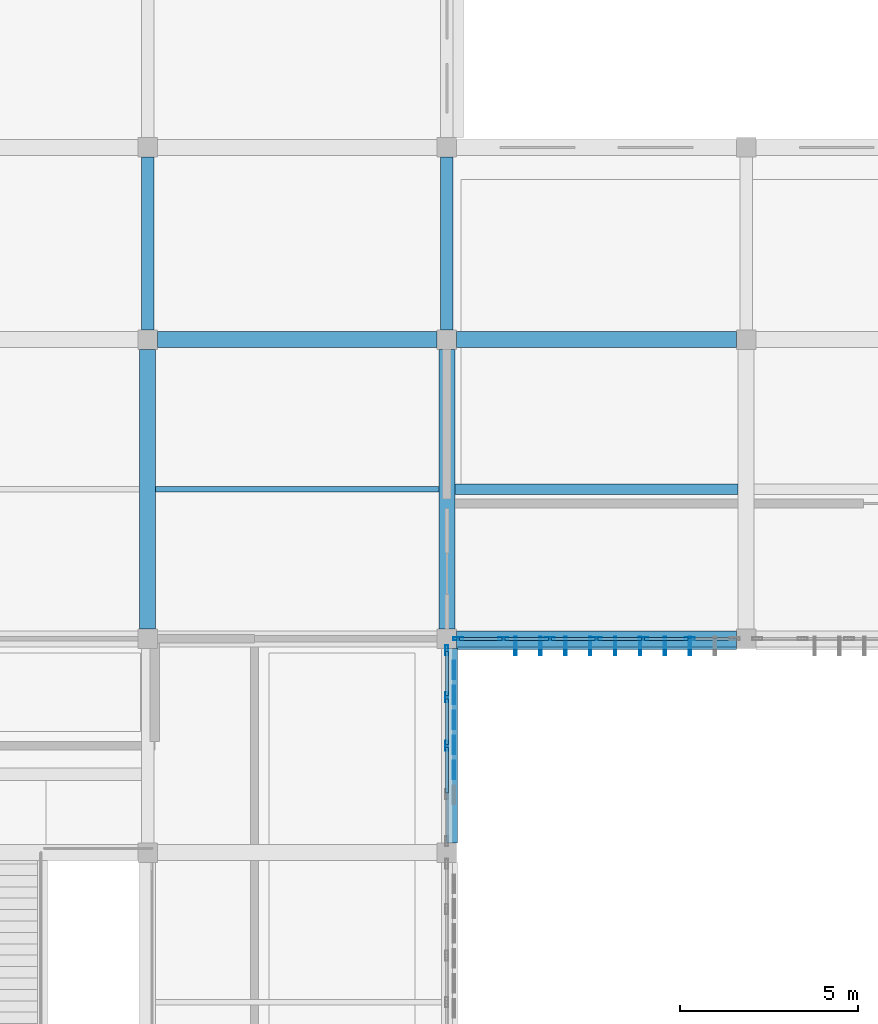
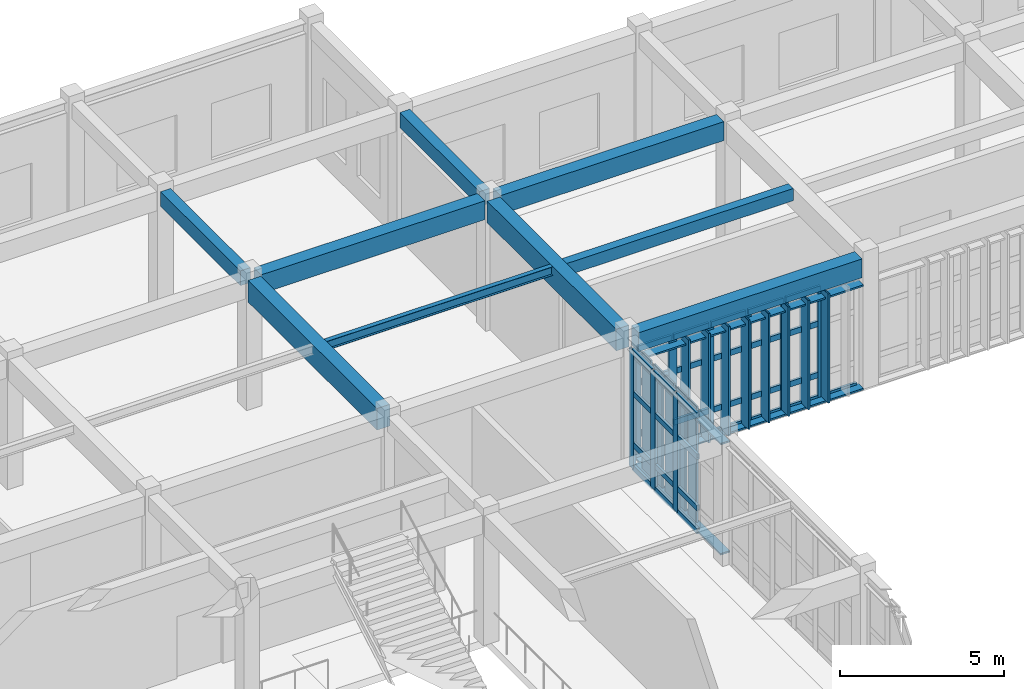
# One storey, part 39 of 106: 59 members, 9 beams, 2 elements without a shape of their own.
"""IFC4 building model written with IfcOpenShell, lengths in metres."""

from ifc_helpers import new_model, si_unit, direction, frame, origin, origin_2d, place, context, subcontext, project, spatial, rectangle, hollow_rectangle, i_section, extrude, material, layer, layer_set, material_profile, profile_set, type_object, element, aggregate, save


model = new_model("IFC4")

# Units and contexts
model_context = context("Model", 3, precision=1e-05, world=origin(), true_north=direction((0.0, 1.0)))
body_context = subcontext(model_context, "Body", "Model", "MODEL_VIEW")
ifc_project = project(units=[si_unit("LENGTHUNIT", "METRE"), si_unit("AREAUNIT", "SQUARE_METRE"), si_unit("VOLUMEUNIT", "CUBIC_METRE"), si_unit("PLANEANGLEUNIT", "RADIAN"), si_unit("MASSUNIT", "GRAM", prefix="KILO")], contexts=[model_context])

# Site, building, storey
site_placement = place(None, origin())
site = spatial("IfcSite", under=ifc_project, at=site_placement, CompositionType="ELEMENT")
building_placement = place(site_placement, origin())
building = spatial("IfcBuilding", under=site, at=building_placement, Name="Krzemoval Escarpment Law Courts", CompositionType="ELEMENT")
storey_placement = place(building_placement, frame((0.0, 0.0, 5.10009765625)))
storey = spatial("IfcBuildingStorey", under=building, at=storey_placement, Name="L01", CompositionType="ELEMENT", Elevation=5.10009765625)

# Beams
ifc_material_1 = material(Name="Concrete C40/50", Category="concrete")
ifc_material_profile_1 = material_profile(ifc_material_1, rectangle(XDim=0.35009765625, YDim=0.550048828125, at=origin_2d()), Name="RCB 350x550")
ifc_profile_set_1 = profile_set([ifc_material_profile_1], Name="Concrete C40/50")
beam_type_1 = type_object("IfcBeamType", Name="BM-RC-350x550", PredefinedType="BEAM", material=ifc_profile_set_1)
for number, where, z_axis, x_axis, name in (
    (1, (33.60009765625, 108.27490234375, 4.544921875), (0.0, 1.0, 0.0), (-1.0, 0.0, 0.0), "Beam FG-L01-1434"),
    (2, (42.0, 108.27490234375, 4.544921875), (0.0, 1.0, 0.0), (-1.0, 0.0, 0.0), "Beam FG-L01-1450"),
):
    element("IfcBeam", number, at=place(storey_placement, frame(where, z_axis=z_axis, x_axis=x_axis)), inside=storey, type_object=beam_type_1, Name=name, PredefinedType="BEAM", context=body_context, shape_type="SweptSolid", body=[
        extrude(rectangle(XDim=0.35009765625, YDim=0.550048828125, at=origin_2d()), origin(), (0.0, 0.0, 1.0), 4.85009765625),
    ])
ifc_material_2 = material(Name="Concrete C40/50", Category="concrete")
ifc_material_profile_2 = material_profile(ifc_material_2, rectangle(XDim=0.449951171875, YDim=0.699951171875, at=origin_2d()), Name="RCB 450x700")
ifc_profile_set_2 = profile_set([ifc_material_profile_2], Name="Concrete C40/50")
beam_type_2 = type_object("IfcBeamType", Name="BM-RC-450x700", PredefinedType="BEAM", material=ifc_profile_set_2)
for number, where, z_axis, x_axis, name in (
    (3, (42.27490234375, 99.60009765625, 4.469970703125), (1.0, 0.0, 0.0), (0.0, 1.0, 0.0), "Beam FG-L01-1304"),
    (4, (33.875, 108.0, 4.469970703125), (1.0, 0.0, 0.0), (0.0, 1.0, 0.0), "Beam FG-L01-1322"),
    (5, (42.27490234375, 108.0, 4.469970703125), (1.0, 0.0, 0.0), (0.0, 1.0, 0.0), "Beam FG-L01-1323"),
):
    element("IfcBeam", number, at=place(storey_placement, frame(where, z_axis=z_axis, x_axis=x_axis)), inside=storey, type_object=beam_type_2, Name=name, PredefinedType="BEAM", context=body_context, shape_type="SweptSolid", body=[
        extrude(rectangle(XDim=0.449951171875, YDim=0.699951171875, at=origin_2d()), origin(), (0.0, 0.0, 1.0), 7.85009765625),
    ])
ifc_material_3 = material(Name="Concrete C40/50", Category="concrete")
ifc_material_profile_3 = material_profile(ifc_material_3, rectangle(XDim=0.449951171875, YDim=0.800048828125, at=origin_2d()), Name="RCB 450x800")
ifc_profile_set_3 = profile_set([ifc_material_profile_3], Name="Concrete C40/50")
beam_type_3 = type_object("IfcBeamType", Name="BM-RC-450x800", PredefinedType="BEAM", material=ifc_profile_set_3)
for number, where, z_axis, x_axis, name in (
    (6, (33.60009765625, 99.875, 4.419921875), (0.0, 1.0, 0.0), (-1.0, 0.0, 0.0), "Beam FG-L01-1433"),
    (7, (42.0, 99.875, 4.419921875), (0.0, 1.0, 0.0), (-1.0, 0.0, 0.0), "Beam FG-L01-1449"),
):
    element("IfcBeam", number, at=place(storey_placement, frame(where, z_axis=z_axis, x_axis=x_axis)), inside=storey, type_object=beam_type_3, Name=name, PredefinedType="BEAM", context=body_context, shape_type="SweptSolid", body=[
        extrude(rectangle(XDim=0.449951171875, YDim=0.800048828125, at=origin_2d()), origin(), (0.0, 0.0, 1.0), 7.85009765625),
    ])

# Curtain wall, members
ifc_material_4 = material(Name="Aluminium 6063-T6", Category="aluminium")
ifc_layer = layer(ifc_material_4, 0.280029296875)
ifc_layer_set = layer_set([ifc_layer], Name="Aluminium 6063-T6")
curtain_wall_type = type_object("IfcCurtainWallType", Name="CW-HALL-5100", PredefinedType="USERDEFINED", material=ifc_layer_set)
curtain_wall_1_placement = place(storey_placement, origin())
curtain_wall_1 = element("IfcCurtainWall", 8, at=curtain_wall_1_placement, inside=storey, type_object=curtain_wall_type, Name="Unitised Curtain Wall FCW-L01-055", ObjectType="UNITISED_CURTAIN_WALL", PredefinedType="USERDEFINED")
ifc_material_5 = material(Name="Aluminium 6063-T6", Category="aluminium")
ifc_material_profile_4 = material_profile(ifc_material_5, hollow_rectangle(XDim=0.0849609375, YDim=0.280029296875, WallThickness=0.005615234375, at=origin_2d()), Name="ALU M85x280")
ifc_profile_set_4 = profile_set([ifc_material_profile_4], Name="Aluminium 6063-T6")
member_type_1 = type_object("IfcMemberType", Name="CWM-85x280", PredefinedType="MULLION", material=ifc_profile_set_4)
member_1_placement = place(storey_placement, frame((48.816650390625, 99.60009765625, 0.0), z_axis=(0.0, 0.0, 1.0), x_axis=(0.0, -1.0, 0.0)))
member_1 = element("IfcMember", 9, at=member_1_placement, type_object=member_type_1, Name="FCW-L01-055 mullion 2", PredefinedType="MULLION", context=body_context, shape_type="SweptSolid", body=[
    extrude(hollow_rectangle(XDim=0.0849609375, YDim=0.280029296875, WallThickness=0.005615234375, at=origin_2d()), origin(), (0.0, 0.0, 1.0), 4.119873046875),
])
member_2_placement = place(storey_placement, frame((47.50830078125, 99.60009765625, 0.0), z_axis=(0.0, 0.0, 1.0), x_axis=(0.0, -1.0, 0.0)))
member_2 = element("IfcMember", 10, at=member_2_placement, type_object=member_type_1, Name="FCW-L01-055 mullion 3", PredefinedType="MULLION", context=body_context, shape_type="SweptSolid", body=[
    extrude(hollow_rectangle(XDim=0.0849609375, YDim=0.280029296875, WallThickness=0.005615234375, at=origin_2d()), origin(), (0.0, 0.0, 1.0), 4.119873046875),
])
member_3_placement = place(storey_placement, frame((46.199951171875, 99.60009765625, 0.0), z_axis=(0.0, 0.0, 1.0), x_axis=(0.0, -1.0, 0.0)))
member_3 = element("IfcMember", 11, at=member_3_placement, type_object=member_type_1, Name="FCW-L01-055 mullion 4", PredefinedType="MULLION", context=body_context, shape_type="SweptSolid", body=[
    extrude(hollow_rectangle(XDim=0.0849609375, YDim=0.280029296875, WallThickness=0.005615234375, at=origin_2d()), origin(), (0.0, 0.0, 1.0), 4.119873046875),
])
member_4_placement = place(storey_placement, frame((44.8916015625, 99.60009765625, 0.0), z_axis=(0.0, 0.0, 1.0), x_axis=(0.0, -1.0, 0.0)))
member_4 = element("IfcMember", 12, at=member_4_placement, type_object=member_type_1, Name="FCW-L01-055 mullion 5", PredefinedType="MULLION", context=body_context, shape_type="SweptSolid", body=[
    extrude(hollow_rectangle(XDim=0.0849609375, YDim=0.280029296875, WallThickness=0.005615234375, at=origin_2d()), origin(), (0.0, 0.0, 1.0), 4.119873046875),
])
member_5_placement = place(storey_placement, frame((43.583251953125, 99.60009765625, 0.0), z_axis=(0.0, 0.0, 1.0), x_axis=(0.0, -1.0, 0.0)))
member_5 = element("IfcMember", 13, at=member_5_placement, type_object=member_type_1, Name="FCW-L01-055 mullion 6", PredefinedType="MULLION", context=body_context, shape_type="SweptSolid", body=[
    extrude(hollow_rectangle(XDim=0.0849609375, YDim=0.280029296875, WallThickness=0.005615234375, at=origin_2d()), origin(), (0.0, 0.0, 1.0), 4.119873046875),
])
member_6_placement = place(storey_placement, frame((42.3173828125, 99.60009765625, 0.0), z_axis=(0.0, 0.0, 1.0), x_axis=(0.0, -1.0, 0.0)))
member_6 = element("IfcMember", 14, at=member_6_placement, type_object=member_type_1, Name="FCW-L01-055 mullion 7", PredefinedType="MULLION", context=body_context, shape_type="SweptSolid", body=[
    extrude(hollow_rectangle(XDim=0.0849609375, YDim=0.280029296875, WallThickness=0.005615234375, at=origin_2d()), origin(), (0.0, 0.0, 1.0), 4.119873046875),
])

curtain_wall_2_placement = place(storey_placement, origin())
curtain_wall_2 = element("IfcCurtainWall", 15, at=curtain_wall_2_placement, inside=storey, type_object=curtain_wall_type, Name="Unitised Curtain Wall FCW-L01-056", ObjectType="UNITISED_CURTAIN_WALL", PredefinedType="USERDEFINED")
member_7_placement = place(storey_placement, frame((42.0, 99.282470703125, 0.0), z_axis=(0.0, 0.0, 1.0), x_axis=(1.0, 0.0, 0.0)))
member_7 = element("IfcMember", 16, at=member_7_placement, type_object=member_type_1, Name="FCW-L01-056 mullion 1", PredefinedType="MULLION", context=body_context, shape_type="SweptSolid", body=[
    extrude(hollow_rectangle(XDim=0.0849609375, YDim=0.280029296875, WallThickness=0.005615234375, at=origin_2d()), origin(), (0.0, 0.0, 1.0), 4.369873046875),
])
member_8_placement = place(storey_placement, frame((42.0, 97.96240234375, 0.0), z_axis=(0.0, 0.0, 1.0), x_axis=(1.0, 0.0, 0.0)))
member_8 = element("IfcMember", 17, at=member_8_placement, type_object=member_type_1, Name="FCW-L01-056 mullion 2", PredefinedType="MULLION", context=body_context, shape_type="SweptSolid", body=[
    extrude(hollow_rectangle(XDim=0.0849609375, YDim=0.280029296875, WallThickness=0.005615234375, at=origin_2d()), origin(), (0.0, 0.0, 1.0), 4.369873046875),
])
member_9_placement = place(storey_placement, frame((42.0, 96.60009765625, 0.0), z_axis=(0.0, 0.0, 1.0), x_axis=(1.0, 0.0, 0.0)))
member_9 = element("IfcMember", 18, at=member_9_placement, type_object=member_type_1, Name="FCW-L01-056 mullion 3", PredefinedType="MULLION", context=body_context, shape_type="SweptSolid", body=[
    extrude(hollow_rectangle(XDim=0.0849609375, YDim=0.280029296875, WallThickness=0.005615234375, at=origin_2d()), origin(), (0.0, 0.0, 1.0), 4.369873046875),
])

# Member
ifc_material_6 = material(Name="Aluminium 6063-T6", Category="aluminium")
ifc_material_profile_5 = material_profile(ifc_material_6, hollow_rectangle(XDim=0.0849609375, YDim=0.2099609375, WallThickness=0.005615234375, at=origin_2d()), Name="ALU T85x210")
ifc_profile_set_5 = profile_set([ifc_material_profile_5], Name="Aluminium 6063-T6")
member_type_2 = type_object("IfcMemberType", Name="CWT-85x210", PredefinedType="USERDEFINED", material=ifc_profile_set_5)
member_10_placement = place(storey_placement, frame((50.0400390625, 99.60009765625, 0.04248046875), z_axis=(-1.0, 0.0, 0.0), x_axis=(0.0, -1.0, 0.0)))
member_10 = element("IfcMember", 19, at=member_10_placement, type_object=member_type_2, Name="FCW-L01-055 transom 1.1", ObjectType="TRANSOM", PredefinedType="USERDEFINED", context=body_context, shape_type="SweptSolid", body=[
    extrude(hollow_rectangle(XDim=0.0849609375, YDim=0.2099609375, WallThickness=0.005615234375, at=origin_2d()), origin(), (0.0, 0.0, 1.0), 1.180908203125),
])

member_11_placement = place(storey_placement, frame((48.774169921875, 99.60009765625, 0.04248046875), z_axis=(-1.0, 0.0, 0.0), x_axis=(0.0, -1.0, 0.0)))
member_11 = element("IfcMember", 20, at=member_11_placement, type_object=member_type_2, Name="FCW-L01-055 transom 2.1", ObjectType="TRANSOM", PredefinedType="USERDEFINED", context=body_context, shape_type="SweptSolid", body=[
    extrude(hollow_rectangle(XDim=0.0849609375, YDim=0.2099609375, WallThickness=0.005615234375, at=origin_2d()), origin(), (0.0, 0.0, 1.0), 1.223388671875),
])

member_12_placement = place(storey_placement, frame((48.774169921875, 99.60009765625, 0.89990234375), z_axis=(-1.0, 0.0, 0.0), x_axis=(0.0, -1.0, 0.0)))
member_12 = element("IfcMember", 21, at=member_12_placement, type_object=member_type_2, Name="FCW-L01-055 transom 2.2", ObjectType="TRANSOM", PredefinedType="USERDEFINED", context=body_context, shape_type="SweptSolid", body=[
    extrude(hollow_rectangle(XDim=0.0849609375, YDim=0.2099609375, WallThickness=0.005615234375, at=origin_2d()), origin(), (0.0, 0.0, 1.0), 1.223388671875),
])

member_13_placement = place(storey_placement, frame((48.774169921875, 99.60009765625, 2.7998046875), z_axis=(-1.0, 0.0, 0.0), x_axis=(0.0, -1.0, 0.0)))
member_13 = element("IfcMember", 22, at=member_13_placement, type_object=member_type_2, Name="FCW-L01-055 transom 2.3", ObjectType="TRANSOM", PredefinedType="USERDEFINED", context=body_context, shape_type="SweptSolid", body=[
    extrude(hollow_rectangle(XDim=0.0849609375, YDim=0.2099609375, WallThickness=0.005615234375, at=origin_2d()), origin(), (0.0, 0.0, 1.0), 1.223388671875),
])

member_14_placement = place(storey_placement, frame((48.774169921875, 99.60009765625, 4.077392578125), z_axis=(-1.0, 0.0, 0.0), x_axis=(0.0, -1.0, 0.0)))
member_14 = element("IfcMember", 23, at=member_14_placement, type_object=member_type_2, Name="FCW-L01-055 transom 2.4", ObjectType="TRANSOM", PredefinedType="USERDEFINED", context=body_context, shape_type="SweptSolid", body=[
    extrude(hollow_rectangle(XDim=0.0849609375, YDim=0.2099609375, WallThickness=0.005615234375, at=origin_2d()), origin(), (0.0, 0.0, 1.0), 1.223388671875),
])

member_15_placement = place(storey_placement, frame((47.4658203125, 99.60009765625, 0.04248046875), z_axis=(-1.0, 0.0, 0.0), x_axis=(0.0, -1.0, 0.0)))
member_15 = element("IfcMember", 24, at=member_15_placement, type_object=member_type_2, Name="FCW-L01-055 transom 3.1", ObjectType="TRANSOM", PredefinedType="USERDEFINED", context=body_context, shape_type="SweptSolid", body=[
    extrude(hollow_rectangle(XDim=0.0849609375, YDim=0.2099609375, WallThickness=0.005615234375, at=origin_2d()), origin(), (0.0, 0.0, 1.0), 1.223388671875),
])

member_16_placement = place(storey_placement, frame((47.4658203125, 99.60009765625, 0.89990234375), z_axis=(-1.0, 0.0, 0.0), x_axis=(0.0, -1.0, 0.0)))
member_16 = element("IfcMember", 25, at=member_16_placement, type_object=member_type_2, Name="FCW-L01-055 transom 3.2", ObjectType="TRANSOM", PredefinedType="USERDEFINED", context=body_context, shape_type="SweptSolid", body=[
    extrude(hollow_rectangle(XDim=0.0849609375, YDim=0.2099609375, WallThickness=0.005615234375, at=origin_2d()), origin(), (0.0, 0.0, 1.0), 1.223388671875),
])

member_17_placement = place(storey_placement, frame((47.4658203125, 99.60009765625, 2.7998046875), z_axis=(-1.0, 0.0, 0.0), x_axis=(0.0, -1.0, 0.0)))
member_17 = element("IfcMember", 26, at=member_17_placement, type_object=member_type_2, Name="FCW-L01-055 transom 3.3", ObjectType="TRANSOM", PredefinedType="USERDEFINED", context=body_context, shape_type="SweptSolid", body=[
    extrude(hollow_rectangle(XDim=0.0849609375, YDim=0.2099609375, WallThickness=0.005615234375, at=origin_2d()), origin(), (0.0, 0.0, 1.0), 1.223388671875),
])

member_18_placement = place(storey_placement, frame((47.4658203125, 99.60009765625, 4.077392578125), z_axis=(-1.0, 0.0, 0.0), x_axis=(0.0, -1.0, 0.0)))
member_18 = element("IfcMember", 27, at=member_18_placement, type_object=member_type_2, Name="FCW-L01-055 transom 3.4", ObjectType="TRANSOM", PredefinedType="USERDEFINED", context=body_context, shape_type="SweptSolid", body=[
    extrude(hollow_rectangle(XDim=0.0849609375, YDim=0.2099609375, WallThickness=0.005615234375, at=origin_2d()), origin(), (0.0, 0.0, 1.0), 1.223388671875),
])

member_19_placement = place(storey_placement, frame((46.157470703125, 99.60009765625, 0.04248046875), z_axis=(-1.0, 0.0, 0.0), x_axis=(0.0, -1.0, 0.0)))
member_19 = element("IfcMember", 28, at=member_19_placement, type_object=member_type_2, Name="FCW-L01-055 transom 4.1", ObjectType="TRANSOM", PredefinedType="USERDEFINED", context=body_context, shape_type="SweptSolid", body=[
    extrude(hollow_rectangle(XDim=0.0849609375, YDim=0.2099609375, WallThickness=0.005615234375, at=origin_2d()), origin(), (0.0, 0.0, 1.0), 1.223388671875),
])

member_20_placement = place(storey_placement, frame((46.157470703125, 99.60009765625, 0.89990234375), z_axis=(-1.0, 0.0, 0.0), x_axis=(0.0, -1.0, 0.0)))
member_20 = element("IfcMember", 29, at=member_20_placement, type_object=member_type_2, Name="FCW-L01-055 transom 4.2", ObjectType="TRANSOM", PredefinedType="USERDEFINED", context=body_context, shape_type="SweptSolid", body=[
    extrude(hollow_rectangle(XDim=0.0849609375, YDim=0.2099609375, WallThickness=0.005615234375, at=origin_2d()), origin(), (0.0, 0.0, 1.0), 1.223388671875),
])

member_21_placement = place(storey_placement, frame((46.157470703125, 99.60009765625, 2.7998046875), z_axis=(-1.0, 0.0, 0.0), x_axis=(0.0, -1.0, 0.0)))
member_21 = element("IfcMember", 30, at=member_21_placement, type_object=member_type_2, Name="FCW-L01-055 transom 4.3", ObjectType="TRANSOM", PredefinedType="USERDEFINED", context=body_context, shape_type="SweptSolid", body=[
    extrude(hollow_rectangle(XDim=0.0849609375, YDim=0.2099609375, WallThickness=0.005615234375, at=origin_2d()), origin(), (0.0, 0.0, 1.0), 1.223388671875),
])

member_22_placement = place(storey_placement, frame((46.157470703125, 99.60009765625, 4.077392578125), z_axis=(-1.0, 0.0, 0.0), x_axis=(0.0, -1.0, 0.0)))
member_22 = element("IfcMember", 31, at=member_22_placement, type_object=member_type_2, Name="FCW-L01-055 transom 4.4", ObjectType="TRANSOM", PredefinedType="USERDEFINED", context=body_context, shape_type="SweptSolid", body=[
    extrude(hollow_rectangle(XDim=0.0849609375, YDim=0.2099609375, WallThickness=0.005615234375, at=origin_2d()), origin(), (0.0, 0.0, 1.0), 1.223388671875),
])

member_23_placement = place(storey_placement, frame((44.84912109375, 99.60009765625, 0.04248046875), z_axis=(-1.0, 0.0, 0.0), x_axis=(0.0, -1.0, 0.0)))
member_23 = element("IfcMember", 32, at=member_23_placement, type_object=member_type_2, Name="FCW-L01-055 transom 5.1", ObjectType="TRANSOM", PredefinedType="USERDEFINED", context=body_context, shape_type="SweptSolid", body=[
    extrude(hollow_rectangle(XDim=0.0849609375, YDim=0.2099609375, WallThickness=0.005615234375, at=origin_2d()), origin(), (0.0, 0.0, 1.0), 1.223388671875),
])

member_24_placement = place(storey_placement, frame((44.84912109375, 99.60009765625, 0.89990234375), z_axis=(-1.0, 0.0, 0.0), x_axis=(0.0, -1.0, 0.0)))
member_24 = element("IfcMember", 33, at=member_24_placement, type_object=member_type_2, Name="FCW-L01-055 transom 5.2", ObjectType="TRANSOM", PredefinedType="USERDEFINED", context=body_context, shape_type="SweptSolid", body=[
    extrude(hollow_rectangle(XDim=0.0849609375, YDim=0.2099609375, WallThickness=0.005615234375, at=origin_2d()), origin(), (0.0, 0.0, 1.0), 1.223388671875),
])

member_25_placement = place(storey_placement, frame((44.84912109375, 99.60009765625, 2.7998046875), z_axis=(-1.0, 0.0, 0.0), x_axis=(0.0, -1.0, 0.0)))
member_25 = element("IfcMember", 34, at=member_25_placement, type_object=member_type_2, Name="FCW-L01-055 transom 5.3", ObjectType="TRANSOM", PredefinedType="USERDEFINED", context=body_context, shape_type="SweptSolid", body=[
    extrude(hollow_rectangle(XDim=0.0849609375, YDim=0.2099609375, WallThickness=0.005615234375, at=origin_2d()), origin(), (0.0, 0.0, 1.0), 1.223388671875),
])

member_26_placement = place(storey_placement, frame((44.84912109375, 99.60009765625, 4.077392578125), z_axis=(-1.0, 0.0, 0.0), x_axis=(0.0, -1.0, 0.0)))
member_26 = element("IfcMember", 35, at=member_26_placement, type_object=member_type_2, Name="FCW-L01-055 transom 5.4", ObjectType="TRANSOM", PredefinedType="USERDEFINED", context=body_context, shape_type="SweptSolid", body=[
    extrude(hollow_rectangle(XDim=0.0849609375, YDim=0.2099609375, WallThickness=0.005615234375, at=origin_2d()), origin(), (0.0, 0.0, 1.0), 1.223388671875),
])

member_27_placement = place(storey_placement, frame((43.540771484375, 99.60009765625, 0.04248046875), z_axis=(-1.0, 0.0, 0.0), x_axis=(0.0, -1.0, 0.0)))
member_27 = element("IfcMember", 36, at=member_27_placement, type_object=member_type_2, Name="FCW-L01-055 transom 6.1", ObjectType="TRANSOM", PredefinedType="USERDEFINED", context=body_context, shape_type="SweptSolid", body=[
    extrude(hollow_rectangle(XDim=0.0849609375, YDim=0.2099609375, WallThickness=0.005615234375, at=origin_2d()), origin(), (0.0, 0.0, 1.0), 1.1806640625),
])

member_28_placement = place(storey_placement, frame((43.540771484375, 99.60009765625, 0.89990234375), z_axis=(-1.0, 0.0, 0.0), x_axis=(0.0, -1.0, 0.0)))
member_28 = element("IfcMember", 37, at=member_28_placement, type_object=member_type_2, Name="FCW-L01-055 transom 6.2", ObjectType="TRANSOM", PredefinedType="USERDEFINED", context=body_context, shape_type="SweptSolid", body=[
    extrude(hollow_rectangle(XDim=0.0849609375, YDim=0.2099609375, WallThickness=0.005615234375, at=origin_2d()), origin(), (0.0, 0.0, 1.0), 1.1806640625),
])

member_29_placement = place(storey_placement, frame((43.540771484375, 99.60009765625, 2.7998046875), z_axis=(-1.0, 0.0, 0.0), x_axis=(0.0, -1.0, 0.0)))
member_29 = element("IfcMember", 38, at=member_29_placement, type_object=member_type_2, Name="FCW-L01-055 transom 6.3", ObjectType="TRANSOM", PredefinedType="USERDEFINED", context=body_context, shape_type="SweptSolid", body=[
    extrude(hollow_rectangle(XDim=0.0849609375, YDim=0.2099609375, WallThickness=0.005615234375, at=origin_2d()), origin(), (0.0, 0.0, 1.0), 1.1806640625),
])

member_30_placement = place(storey_placement, frame((43.540771484375, 99.60009765625, 4.077392578125), z_axis=(-1.0, 0.0, 0.0), x_axis=(0.0, -1.0, 0.0)))
member_30 = element("IfcMember", 39, at=member_30_placement, type_object=member_type_2, Name="FCW-L01-055 transom 6.4", ObjectType="TRANSOM", PredefinedType="USERDEFINED", context=body_context, shape_type="SweptSolid", body=[
    extrude(hollow_rectangle(XDim=0.0849609375, YDim=0.2099609375, WallThickness=0.005615234375, at=origin_2d()), origin(), (0.0, 0.0, 1.0), 1.1806640625),
])

aggregate(curtain_wall_1, [member_1, member_2, member_3, member_4, member_5, member_6, member_10, member_11, member_12, member_13, member_14, member_15, member_16, member_17, member_18, member_19, member_20, member_21, member_22, member_23, member_24, member_25, member_26, member_27, member_28, member_29, member_30])

member_31_placement = place(storey_placement, frame((42.0, 99.239990234375, 0.04248046875), z_axis=(0.0, -1.0, 0.0), x_axis=(1.0, 0.0, 0.0)))
member_31 = element("IfcMember", 40, at=member_31_placement, type_object=member_type_2, Name="FCW-L01-056 transom 1.1", ObjectType="TRANSOM", PredefinedType="USERDEFINED", context=body_context, shape_type="SweptSolid", body=[
    extrude(hollow_rectangle(XDim=0.0849609375, YDim=0.2099609375, WallThickness=0.005615234375, at=origin_2d()), origin(), (0.0, 0.0, 1.0), 1.235107421875),
])

member_32_placement = place(storey_placement, frame((42.0, 99.239990234375, 0.89990234375), z_axis=(0.0, -1.0, 0.0), x_axis=(1.0, 0.0, 0.0)))
member_32 = element("IfcMember", 41, at=member_32_placement, type_object=member_type_2, Name="FCW-L01-056 transom 1.2", ObjectType="TRANSOM", PredefinedType="USERDEFINED", context=body_context, shape_type="SweptSolid", body=[
    extrude(hollow_rectangle(XDim=0.0849609375, YDim=0.2099609375, WallThickness=0.005615234375, at=origin_2d()), origin(), (0.0, 0.0, 1.0), 1.235107421875),
])

member_33_placement = place(storey_placement, frame((42.0, 99.239990234375, 2.7998046875), z_axis=(0.0, -1.0, 0.0), x_axis=(1.0, 0.0, 0.0)))
member_33 = element("IfcMember", 42, at=member_33_placement, type_object=member_type_2, Name="FCW-L01-056 transom 1.3", ObjectType="TRANSOM", PredefinedType="USERDEFINED", context=body_context, shape_type="SweptSolid", body=[
    extrude(hollow_rectangle(XDim=0.0849609375, YDim=0.2099609375, WallThickness=0.005615234375, at=origin_2d()), origin(), (0.0, 0.0, 1.0), 1.235107421875),
])

member_34_placement = place(storey_placement, frame((42.0, 99.239990234375, 4.327392578125), z_axis=(0.0, -1.0, 0.0), x_axis=(1.0, 0.0, 0.0)))
member_34 = element("IfcMember", 43, at=member_34_placement, type_object=member_type_2, Name="FCW-L01-056 transom 1.4", ObjectType="TRANSOM", PredefinedType="USERDEFINED", context=body_context, shape_type="SweptSolid", body=[
    extrude(hollow_rectangle(XDim=0.0849609375, YDim=0.2099609375, WallThickness=0.005615234375, at=origin_2d()), origin(), (0.0, 0.0, 1.0), 1.235107421875),
])

member_35_placement = place(storey_placement, frame((42.0, 97.919921875, 0.04248046875), z_axis=(0.0, -1.0, 0.0), x_axis=(1.0, 0.0, 0.0)))
member_35 = element("IfcMember", 44, at=member_35_placement, type_object=member_type_2, Name="FCW-L01-056 transom 2.1", ObjectType="TRANSOM", PredefinedType="USERDEFINED", context=body_context, shape_type="SweptSolid", body=[
    extrude(hollow_rectangle(XDim=0.0849609375, YDim=0.2099609375, WallThickness=0.005615234375, at=origin_2d()), origin(), (0.0, 0.0, 1.0), 1.27734375),
])

member_36_placement = place(storey_placement, frame((42.0, 97.919921875, 0.89990234375), z_axis=(0.0, -1.0, 0.0), x_axis=(1.0, 0.0, 0.0)))
member_36 = element("IfcMember", 45, at=member_36_placement, type_object=member_type_2, Name="FCW-L01-056 transom 2.2", ObjectType="TRANSOM", PredefinedType="USERDEFINED", context=body_context, shape_type="SweptSolid", body=[
    extrude(hollow_rectangle(XDim=0.0849609375, YDim=0.2099609375, WallThickness=0.005615234375, at=origin_2d()), origin(), (0.0, 0.0, 1.0), 1.27734375),
])

member_37_placement = place(storey_placement, frame((42.0, 97.919921875, 2.7998046875), z_axis=(0.0, -1.0, 0.0), x_axis=(1.0, 0.0, 0.0)))
member_37 = element("IfcMember", 46, at=member_37_placement, type_object=member_type_2, Name="FCW-L01-056 transom 2.3", ObjectType="TRANSOM", PredefinedType="USERDEFINED", context=body_context, shape_type="SweptSolid", body=[
    extrude(hollow_rectangle(XDim=0.0849609375, YDim=0.2099609375, WallThickness=0.005615234375, at=origin_2d()), origin(), (0.0, 0.0, 1.0), 1.27734375),
])

member_38_placement = place(storey_placement, frame((42.0, 97.919921875, 4.327392578125), z_axis=(0.0, -1.0, 0.0), x_axis=(1.0, 0.0, 0.0)))
member_38 = element("IfcMember", 47, at=member_38_placement, type_object=member_type_2, Name="FCW-L01-056 transom 2.4", ObjectType="TRANSOM", PredefinedType="USERDEFINED", context=body_context, shape_type="SweptSolid", body=[
    extrude(hollow_rectangle(XDim=0.0849609375, YDim=0.2099609375, WallThickness=0.005615234375, at=origin_2d()), origin(), (0.0, 0.0, 1.0), 1.27734375),
])

member_39_placement = place(storey_placement, frame((42.0, 96.5576171875, 0.04248046875), z_axis=(0.0, -1.0, 0.0), x_axis=(1.0, 0.0, 0.0)))
member_39 = element("IfcMember", 48, at=member_39_placement, type_object=member_type_2, Name="FCW-L01-056 transom 3.1", ObjectType="TRANSOM", PredefinedType="USERDEFINED", context=body_context, shape_type="SweptSolid", body=[
    extrude(hollow_rectangle(XDim=0.0849609375, YDim=0.2099609375, WallThickness=0.005615234375, at=origin_2d()), origin(), (0.0, 0.0, 1.0), 1.277587890625),
])

member_40_placement = place(storey_placement, frame((42.0, 96.5576171875, 0.89990234375), z_axis=(0.0, -1.0, 0.0), x_axis=(1.0, 0.0, 0.0)))
member_40 = element("IfcMember", 49, at=member_40_placement, type_object=member_type_2, Name="FCW-L01-056 transom 3.2", ObjectType="TRANSOM", PredefinedType="USERDEFINED", context=body_context, shape_type="SweptSolid", body=[
    extrude(hollow_rectangle(XDim=0.0849609375, YDim=0.2099609375, WallThickness=0.005615234375, at=origin_2d()), origin(), (0.0, 0.0, 1.0), 1.277587890625),
])

member_41_placement = place(storey_placement, frame((42.0, 96.5576171875, 2.7998046875), z_axis=(0.0, -1.0, 0.0), x_axis=(1.0, 0.0, 0.0)))
member_41 = element("IfcMember", 50, at=member_41_placement, type_object=member_type_2, Name="FCW-L01-056 transom 3.3", ObjectType="TRANSOM", PredefinedType="USERDEFINED", context=body_context, shape_type="SweptSolid", body=[
    extrude(hollow_rectangle(XDim=0.0849609375, YDim=0.2099609375, WallThickness=0.005615234375, at=origin_2d()), origin(), (0.0, 0.0, 1.0), 1.277587890625),
])

member_42_placement = place(storey_placement, frame((42.0, 96.5576171875, 4.327392578125), z_axis=(0.0, -1.0, 0.0), x_axis=(1.0, 0.0, 0.0)))
member_42 = element("IfcMember", 51, at=member_42_placement, type_object=member_type_2, Name="FCW-L01-056 transom 3.4", ObjectType="TRANSOM", PredefinedType="USERDEFINED", context=body_context, shape_type="SweptSolid", body=[
    extrude(hollow_rectangle(XDim=0.0849609375, YDim=0.2099609375, WallThickness=0.005615234375, at=origin_2d()), origin(), (0.0, 0.0, 1.0), 1.277587890625),
])

aggregate(curtain_wall_2, [member_7, member_8, member_9, member_31, member_32, member_33, member_34, member_35, member_36, member_37, member_38, member_39, member_40, member_41, member_42])

# Beams
ifc_material_7 = material(Name="Concrete C40/50", Category="concrete")
ifc_material_profile_6 = material_profile(ifc_material_7, rectangle(XDim=0.300048828125, YDim=0.449951171875, at=origin_2d()), Name="RCB 300x450")
ifc_profile_set_6 = profile_set([ifc_material_profile_6], Name="Concrete C40/50")
beam_type_4 = type_object("IfcBeamType", Name="JST-RC-300x450", PredefinedType="JOIST", material=ifc_profile_set_6)
beam_1_placement = place(storey_placement, frame((42.22509765625, 103.800048828125, 4.594970703125), z_axis=(1.0, 0.0, 0.0), x_axis=(0.0, 1.0, 0.0)))
element("IfcBeam", 52, at=beam_1_placement, inside=storey, type_object=beam_type_4, Name="Secondary Joist FJ-L01-1635", PredefinedType="JOIST", context=body_context, shape_type="SweptSolid", body=[
    extrude(rectangle(XDim=0.300048828125, YDim=0.449951171875, at=origin_2d()), origin(), (0.0, 0.0, 1.0), 7.949951171875),
])
ifc_material_8 = material(Name="Steel S355", Category="steel")
ifc_material_profile_7 = material_profile(ifc_material_8, i_section(OverallWidth=0.159912109375, OverallDepth=0.330078125, WebThickness=0.007568359375, FlangeThickness=0.011474609375, at=origin_2d()), Name="IPE 330")
ifc_profile_set_7 = profile_set([ifc_material_profile_7], Name="Steel S355")
beam_type_5 = type_object("IfcBeamType", Name="JST-S355-IPE330", PredefinedType="JOIST", material=ifc_profile_set_7)
beam_2_placement = place(storey_placement, frame((33.824951171875, 103.800048828125, 4.65478515625), z_axis=(1.0, 0.0, 0.0), x_axis=(0.0, 1.0, 0.0)))
element("IfcBeam", 53, at=beam_2_placement, inside=storey, type_object=beam_type_5, Name="Secondary Joist FJ-L01-1630", PredefinedType="JOIST", context=body_context, shape_type="SweptSolid", body=[
    extrude(i_section(OverallWidth=0.159912109375, OverallDepth=0.330078125, WebThickness=0.007568359375, FlangeThickness=0.011474609375, at=origin_2d()), origin(), (0.0, 0.0, 1.0), 7.949951171875),
])

# Members
ifc_material_9 = material(Name="Anodised Aluminium Alloy 6063-T6", Category="aluminium")
ifc_material_profile_8 = material_profile(ifc_material_9, hollow_rectangle(XDim=0.06005859375, YDim=0.320068359375, WallThickness=0.00390625, at=origin_2d()), Name="ALU LVR 60x320")
ifc_profile_set_8 = profile_set([ifc_material_profile_8], Name="Anodised Aluminium Alloy 6063-T6")
member_type_3 = type_object("IfcMemberType", Name="LVR-ALU-320", PredefinedType="USERDEFINED", material=ifc_profile_set_8)
for number, where, z_axis, x_axis, name in (
    (54, (50.125, 99.4599609375, 0.02978515625), (-1.0, 0.0, 0.0), (0.0, 0.0, 1.0), "Sunshade Support Rail FSR-L01-0279"),
    (55, (50.125, 99.4599609375, 3.869873046875), (-1.0, 0.0, 0.0), (0.0, 0.0, 1.0), "Sunshade Support Rail FSR-L01-0280"),
):
    element("IfcMember", number, at=place(storey_placement, frame(where, z_axis=z_axis, x_axis=x_axis)), inside=storey, type_object=member_type_3, Name=name, ObjectType="SUNSHADE_LOUVRE", PredefinedType="USERDEFINED", context=body_context, shape_type="SweptSolid", body=[
        extrude(hollow_rectangle(XDim=0.06005859375, YDim=0.320068359375, WallThickness=0.00390625, at=origin_2d()), origin(), (0.0, 0.0, 1.0), 7.85009765625),
    ])
for number, where, z_axis, x_axis, name in (
    (56, (42.139892578125, 99.324951171875, 0.02978515625), (0.0, -1.0, 0.0), (0.0, 0.0, 1.0), "Sunshade Support Rail FSR-L01-0290"),
    (57, (42.139892578125, 99.324951171875, 4.119873046875), (0.0, -1.0, 0.0), (0.0, 0.0, 1.0), "Sunshade Support Rail FSR-L01-0291"),
):
    element("IfcMember", number, at=place(storey_placement, frame(where, z_axis=z_axis, x_axis=x_axis)), inside=storey, type_object=member_type_3, Name=name, ObjectType="SUNSHADE_LOUVRE", PredefinedType="USERDEFINED", context=body_context, shape_type="SweptSolid", body=[
        extrude(hollow_rectangle(XDim=0.06005859375, YDim=0.320068359375, WallThickness=0.00390625, at=origin_2d()), origin(), (0.0, 0.0, 1.0), 5.449951171875),
    ])
ifc_material_10 = material(Name="Anodised Aluminium Alloy 6063-T6", Category="aluminium")
ifc_material_profile_9 = material_profile(ifc_material_10, hollow_rectangle(XDim=0.06494140625, YDim=0.52001953125, WallThickness=0.00439453125, at=origin_2d()), Name="ALU LVR 65x520")
ifc_profile_set_9 = profile_set([ifc_material_profile_9], Name="Anodised Aluminium Alloy 6063-T6")
member_type_4 = type_object("IfcMemberType", Name="LVR-ALU-520", PredefinedType="USERDEFINED", material=ifc_profile_set_9)
for number, where, z_axis, x_axis, name in (
    (58, (48.824951171875, 99.39990234375, 0.059814453125), (0.0, 0.0, 1.0), (1.0, 0.0, 0.0), "Sunshade Louvre Fin FLV-L01-0282"),
    (59, (48.125, 99.39990234375, 0.059814453125), (0.0, 0.0, 1.0), (1.0, 0.0, 0.0), "Sunshade Louvre Fin FLV-L01-0283"),
    (60, (47.425048828125, 99.39990234375, 0.059814453125), (0.0, 0.0, 1.0), (1.0, 0.0, 0.0), "Sunshade Louvre Fin FLV-L01-0284"),
    (61, (46.72509765625, 99.39990234375, 0.059814453125), (0.0, 0.0, 1.0), (1.0, 0.0, 0.0), "Sunshade Louvre Fin FLV-L01-0285"),
    (62, (46.02490234375, 99.39990234375, 0.059814453125), (0.0, 0.0, 1.0), (1.0, 0.0, 0.0), "Sunshade Louvre Fin FLV-L01-0286"),
    (63, (45.324951171875, 99.39990234375, 0.059814453125), (0.0, 0.0, 1.0), (1.0, 0.0, 0.0), "Sunshade Louvre Fin FLV-L01-0287"),
    (64, (44.625, 99.39990234375, 0.059814453125), (0.0, 0.0, 1.0), (1.0, 0.0, 0.0), "Sunshade Louvre Fin FLV-L01-0288"),
    (65, (43.925048828125, 99.39990234375, 0.059814453125), (0.0, 0.0, 1.0), (1.0, 0.0, 0.0), "Sunshade Louvre Fin FLV-L01-0289"),
):
    element("IfcMember", number, at=place(storey_placement, frame(where, z_axis=z_axis, x_axis=x_axis)), inside=storey, type_object=member_type_4, Name=name, ObjectType="SUNSHADE_LOUVRE", PredefinedType="USERDEFINED", context=body_context, shape_type="SweptSolid", body=[
        extrude(hollow_rectangle(XDim=0.06494140625, YDim=0.52001953125, WallThickness=0.00439453125, at=origin_2d()), origin(), (0.0, 0.0, 1.0), 4.06005859375),
    ])
for number, where, z_axis, x_axis, name in (
    (66, (42.199951171875, 98.72509765625, 0.059814453125), (0.0, 0.0, 1.0), (1.0, 0.0, 0.0), "Sunshade Louvre Fin FLV-L01-0292"),
    (67, (42.199951171875, 98.02490234375, 0.059814453125), (0.0, 0.0, 1.0), (1.0, 0.0, 0.0), "Sunshade Louvre Fin FLV-L01-0293"),
    (68, (42.199951171875, 97.324951171875, 0.059814453125), (0.0, 0.0, 1.0), (1.0, 0.0, 0.0), "Sunshade Louvre Fin FLV-L01-0294"),
    (69, (42.199951171875, 96.625, 0.059814453125), (0.0, 0.0, 1.0), (1.0, 0.0, 0.0), "Sunshade Louvre Fin FLV-L01-0295"),
    (70, (42.199951171875, 95.925048828125, 0.059814453125), (0.0, 0.0, 1.0), (1.0, 0.0, 0.0), "Sunshade Louvre Fin FLV-L01-0296"),
):
    element("IfcMember", number, at=place(storey_placement, frame(where, z_axis=z_axis, x_axis=x_axis)), inside=storey, type_object=member_type_4, Name=name, ObjectType="SUNSHADE_LOUVRE", PredefinedType="USERDEFINED", context=body_context, shape_type="SweptSolid", body=[
        extrude(hollow_rectangle(XDim=0.06494140625, YDim=0.52001953125, WallThickness=0.00439453125, at=origin_2d()), origin(), (0.0, 0.0, 1.0), 4.31005859375),
    ])

save(model, "model.ifc")
